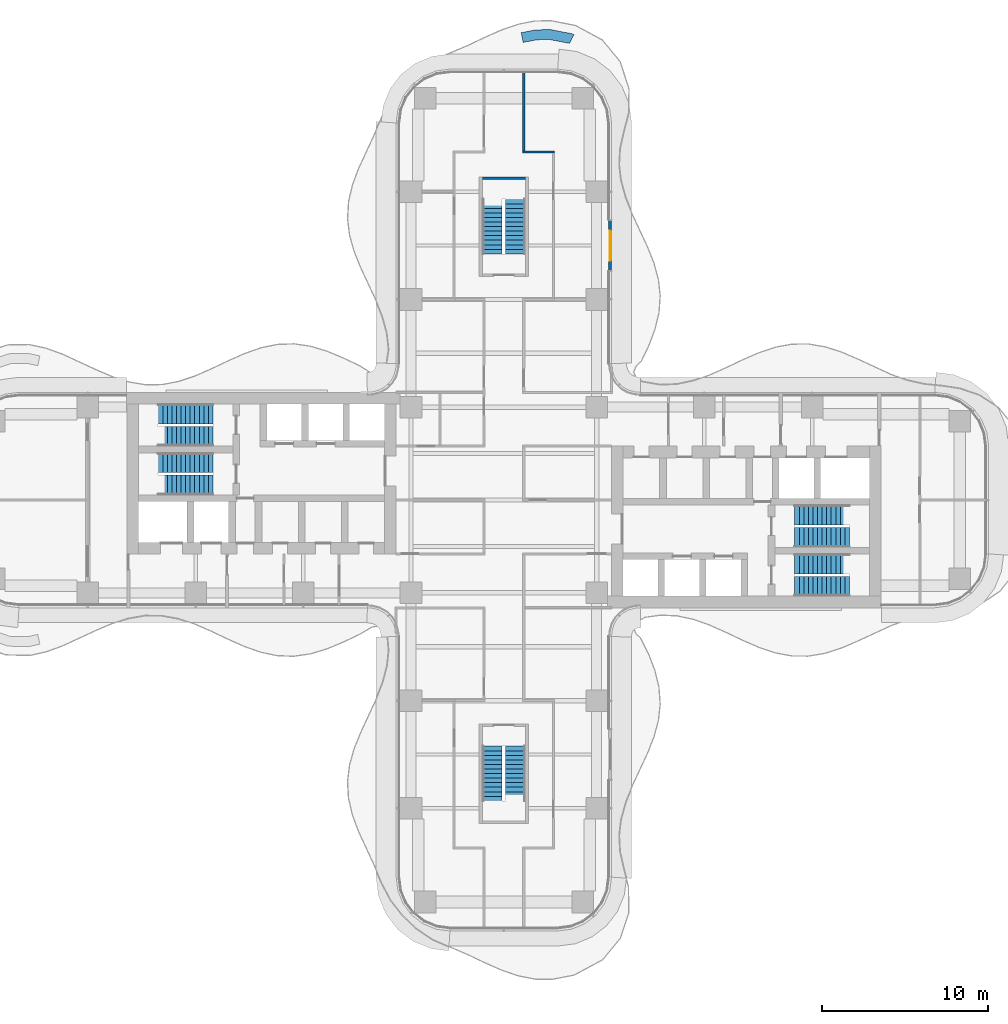
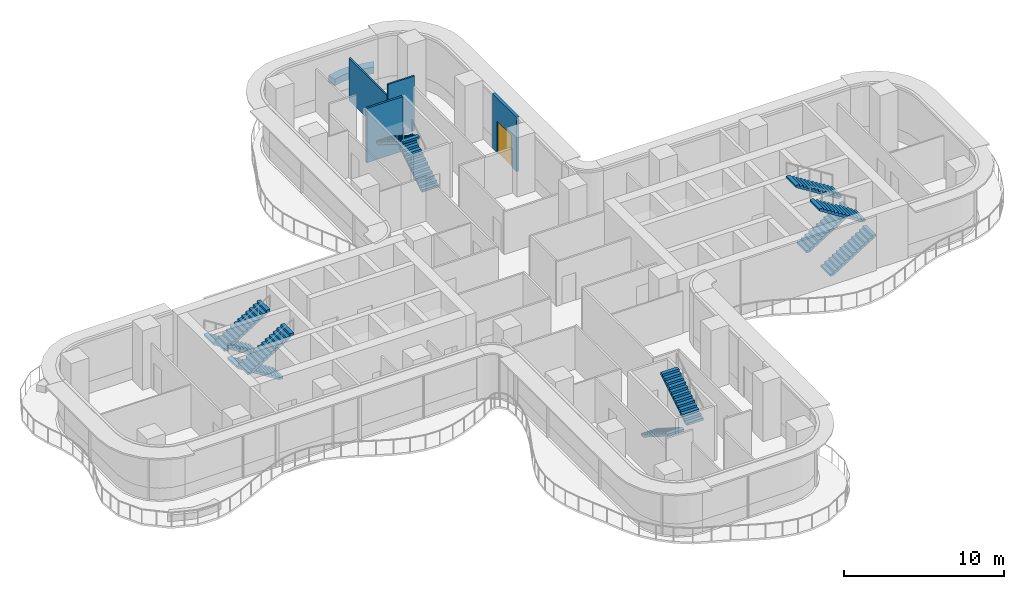
# One storey, part 18 of 20: 12 stair flights, 5 walls, 1 door, 1 opening, 6 elements without a shape of their own.
"""IFC4 building model written with IfcOpenShell, lengths in metres."""

from ifc_helpers import new_model, si_unit, direction, frame, frame_2d, origin, place, context, subcontext, project, spatial, polyline, rectangle, outline, extrude, source, transform, mapped, material, layer, layer_set, type_object, element, fill, aggregate, save


model = new_model("IFC4")

# Units and contexts
model_context = context("Model", 3, precision=1e-05, world=origin(), true_north=direction((0.0, 1.0)))
body_context = subcontext(model_context, "Body", "Model", "MODEL_VIEW")
ifc_project = project(units=[si_unit("LENGTHUNIT", "METRE"), si_unit("AREAUNIT", "SQUARE_METRE"), si_unit("VOLUMEUNIT", "CUBIC_METRE"), si_unit("PLANEANGLEUNIT", "RADIAN"), si_unit("MASSUNIT", "GRAM", prefix="KILO")], contexts=[model_context])

# Site, building, storey
site_placement = place(None, origin())
site = spatial("IfcSite", under=ifc_project, at=site_placement, CompositionType="ELEMENT")
building_placement = place(site_placement, origin())
building = spatial("IfcBuilding", under=site, at=building_placement, Name="Trellis Farm Tower", CompositionType="ELEMENT")
storey_placement = place(building_placement, frame((0.0, 0.0, 151.5)))
storey = spatial("IfcBuildingStorey", under=building, at=storey_placement, Name="L32", CompositionType="ELEMENT", Elevation=151.5)

# Walls
ifc_material_1 = material(Name="Sandstone faced masonry planter", Category="masonry")
ifc_layer_1 = layer(ifc_material_1, 0.60009765625)
ifc_layer_set_1 = layer_set([ifc_layer_1], Name="PLANTER BED 600")
wall_type_1 = type_object("IfcWallType", Name="PLANTER BED 600", PredefinedType="USERDEFINED", material=ifc_layer_set_1)
placement = place(storey_placement, origin())
element("IfcWall", 1, at=placement, inside=storey, type_object=wall_type_1, Name="PLANTER bed", ObjectType="PLANTER", PredefinedType="USERDEFINED", context=body_context, shape_type="SweptSolid", body=[
    extrude(outline(polyline([(2.796630859375, 28.385009765625), (4.12353515625, 28.12939453125), (4.234619140625, 28.070068359375), (3.951904296875, 27.540771484375), (3.9208984375, 27.557373046875), (2.746337890625, 27.78369140625), (1.974609375, 27.765380859375), (1.161376953125, 27.605712890625), (1.045654296875, 28.1943359375), (1.9091796875, 28.364013671875), (2.796630859375, 28.385009765625)])), origin(), (0.0, 0.0, 1.0), 0.5),
])
ifc_material_2 = material(Name="Concrete C70/85", Category="concrete")
ifc_layer_2 = layer(ifc_material_2, 0.14990234375)
ifc_layer_set_2 = layer_set([ifc_layer_2], Name="CORE STAIR ENCLOSURE WALL 150 CONCRETE C70/85")
wall_type_2 = type_object("IfcWallType", Name="CORE STAIR ENCLOSURE WALL 150 CONCRETE C70/85", PredefinedType="SHEAR", material=ifc_layer_set_2)
shared_shape_1 = source(origin(), body_context, "Body", "SweptSolid", [
    extrude(rectangle(XDim=2.60009765625, YDim=0.14990234375, at=frame_2d((1.300048828125, 0.0))), origin(), (0.0, 0.0, 1.0), 4.14990234375),
])
wall_2_placement = place(storey_placement, frame((-1.300048828125, 19.425048828125, 0.0), z_axis=(0.0, 0.0, 1.0), x_axis=(1.0, 0.0, 0.0)))
element("IfcWall", 2, at=wall_2_placement, inside=storey, type_object=wall_type_2, Name="Stair enclosure wall", PredefinedType="SHEAR", context=body_context, shape_type="MappedRepresentation", body=[
    mapped(shared_shape_1, transform((0.0, 0.0, 0.0))),
])

# Wall, opening, door
ifc_material_3 = material(Name="Sandstone faced insulated wall", Category="masonry")
ifc_layer_3 = layer(ifc_material_3, 0.199951171875)
ifc_layer_set_3 = layer_set([ifc_layer_3], Name="EXTERNAL INFILL WALL 200")
wall_type_3 = type_object("IfcWallType", Name="EXTERNAL INFILL WALL 200", PredefinedType="SOLIDWALL", material=ifc_layer_set_3)
shared_shape_2 = source(origin(), body_context, "Body", "SweptSolid", [
    extrude(rectangle(XDim=3.0, YDim=0.199951171875, at=frame_2d((1.5, 0.0))), origin(), (0.0, 0.0, 1.0), 4.14990234375),
])
wall_3_placement = place(storey_placement, frame((6.39990234375, 13.85009765625, 0.0), z_axis=(0.0, 0.0, 1.0), x_axis=(0.0, 1.0, 0.0)))
wall_3 = element("IfcWall", 3, at=wall_3_placement, inside=storey, type_object=wall_type_3, Name="EW1 02", PredefinedType="SOLIDWALL", context=body_context, shape_type="MappedRepresentation", body=[
    mapped(shared_shape_2, transform((0.0, 0.0, 0.0))),
])
shared_shape_3 = source(origin(), body_context, "Body", "SweptSolid", [
    extrude(rectangle(XDim=1.800048828125, YDim=2.39990234375, at=frame_2d((0.89990234375, 1.199951171875))), frame((0.0, 0.110107421875, 0.0), z_axis=(0.0, -1.0, 0.0), x_axis=(1.0, 0.0, 0.0)), (0.0, 0.0, 1.0), 0.22021484375),
])
opening_placement = place(wall_3_placement, frame((0.60009765625, 0.0, 0.0)))
opening = element("IfcOpeningElement", 4, at=opening_placement, cuts=wall_3, Name="Opening ED1", PredefinedType="OPENING", context=body_context, shape_type="MappedRepresentation", body=[
    mapped(shared_shape_3, transform((0.0, 0.0, 0.0))),
])
ifc_material_4 = material(Name="Aluminium framed glazed door", Category="aluminium")
door_type = type_object("IfcDoorType", Name="BALCONY DOOR 1800x2400", OperationType="DOUBLE_DOOR_SINGLE_SWING", PredefinedType="DOOR", material=ifc_material_4)
shared_shape_4 = source(origin(), body_context, "Body", "SweptSolid", [
    extrude(rectangle(XDim=1.800048828125, YDim=2.39990234375, at=frame_2d((0.89990234375, 1.199951171875))), frame((0.0, 0.02490234375, 0.0), z_axis=(0.0, -1.0, 0.0), x_axis=(1.0, 0.0, 0.0)), (0.0, 0.0, 1.0), 0.050048828125),
])
door_placement = place(opening_placement, origin())
door = element("IfcDoor", 5, at=door_placement, inside=storey, type_object=door_type, Name="Balcony door", OperationType="DOUBLE_DOOR_SINGLE_SWING", OverallHeight=2.39990234375, OverallWidth=1.800048828125, PredefinedType="DOOR", context=body_context, shape_type="MappedRepresentation", body=[
    mapped(shared_shape_4, transform((0.0, 0.0, 0.0))),
])
fill(opening, door)

# Walls
ifc_material_5 = material(Name="Plasterboard on steel studs, mineral wool", Category="steel")
ifc_layer_4 = layer(ifc_material_5, 0.125)
ifc_layer_set_4 = layer_set([ifc_layer_4], Name="PARTITION 125 STUD EI 60")
wall_type_4 = type_object("IfcWallType", Name="PARTITION 125 STUD EI 60", PredefinedType="PARTITIONING", material=ifc_layer_set_4)
shared_shape_5 = source(origin(), body_context, "Body", "SweptSolid", [
    extrude(rectangle(XDim=4.737548828125, YDim=0.125, at=frame_2d((2.36865234375, 0.0))), origin(), (0.0, 0.0, 1.0), 3.22998046875),
])
wall_4_placement = place(storey_placement, frame((1.199951171875, 25.800048828125, 0.0), z_axis=(0.0, 0.0, 1.0), x_axis=(0.0, -1.0, 0.0)))
element("IfcWall", 6, at=wall_4_placement, inside=storey, type_object=wall_type_4, Name="Partition PW1", PredefinedType="PARTITIONING", context=body_context, shape_type="MappedRepresentation", body=[
    mapped(shared_shape_5, transform((0.0, 0.0, 0.0))),
])
shared_shape_6 = source(origin(), body_context, "Body", "SweptSolid", [
    extrude(rectangle(XDim=1.925048828125, YDim=0.125, at=frame_2d((0.96240234375, 0.0))), origin(), (0.0, 0.0, 1.0), 4.14990234375),
])
wall_5_placement = place(storey_placement, frame((1.137451171875, 21.0, 0.0), z_axis=(0.0, 0.0, 1.0), x_axis=(1.0, 0.0, 0.0)))
element("IfcWall", 7, at=wall_5_placement, inside=storey, type_object=wall_type_4, Name="Partition PW1", PredefinedType="PARTITIONING", context=body_context, shape_type="MappedRepresentation", body=[
    mapped(shared_shape_6, transform((0.0, 0.0, 0.0))),
])

# Stair, stair flights
ifc_material_6 = material(Name="Concrete C50/60", Category="concrete")
stair_type = type_object("IfcStairType", Name="CORE EXIT STAIR 26 RISERS 173 MM", PredefinedType="HALF_TURN_STAIR", material=ifc_material_6)
stair_1 = element("IfcStair", 8, at=placement, inside=storey, type_object=stair_type, Name="Exit stair N", PredefinedType="HALF_TURN_STAIR")
stair_flight_type = type_object("IfcStairFlightType", Name="STAIR FLIGHT 13 RISERS 173 MM", PredefinedType="STRAIGHT", material=ifc_material_6)
shared_shape_7 = source(origin(), body_context, "Body", "SweptSolid", [
    extrude(outline(polyline([(0.0, 0.0), (0.0, 0.173095703125), (0.27490234375, 0.173095703125), (0.27490234375, 0.34619140625), (0.550048828125, 0.34619140625), (0.550048828125, 0.519287109375), (0.824951171875, 0.519287109375), (0.824951171875, 0.6923828125), (1.10009765625, 0.6923828125), (1.10009765625, 0.865478515625), (1.375, 0.865478515625), (1.375, 1.03857421875), (1.64990234375, 1.03857421875), (1.64990234375, 1.21142578125), (1.925048828125, 1.21142578125), (1.925048828125, 1.384521484375), (2.199951171875, 1.384521484375), (2.199951171875, 1.5576171875), (2.47509765625, 1.5576171875), (2.47509765625, 1.730712890625), (2.75, 1.730712890625), (2.75, 1.90380859375), (3.02490234375, 1.90380859375), (3.02490234375, 2.076904296875), (3.300048828125, 2.076904296875), (3.300048828125, 2.25), (3.300048828125, 1.92333984375), (0.243896484375, 0.0), (0.0, 0.0)])), frame((0.0, 0.60009765625, 0.0), z_axis=(0.0, -1.0, 0.0), x_axis=(1.0, 0.0, 0.0)), (0.0, 0.0, 1.0), 1.199951171875),
])
stair_flight_1_placement = place(storey_placement, frame((0.699951171875, 14.85009765625, 0.0), z_axis=(0.0, 0.0, 1.0), x_axis=(0.0, 1.0, 0.0)))
stair_flight_1 = element("IfcStairFlight", 9, at=stair_flight_1_placement, type_object=stair_flight_type, Name="STN flight 1", NumberOfRisers=13, NumberOfTreads=12, PredefinedType="STRAIGHT", RiserHeight=0.173076923, TreadLength=0.275, context=body_context, shape_type="MappedRepresentation", body=[
    mapped(shared_shape_7, transform((0.0, 0.0, 0.0))),
])
stair_flight_2_placement = place(storey_placement, frame((-0.699951171875, 18.14990234375, 2.25), z_axis=(0.0, 0.0, 1.0), x_axis=(0.0, -1.0, 0.0)))
stair_flight_2 = element("IfcStairFlight", 10, at=stair_flight_2_placement, type_object=stair_flight_type, Name="STN flight 2", NumberOfRisers=13, NumberOfTreads=12, PredefinedType="STRAIGHT", RiserHeight=0.173076923, TreadLength=0.275, context=body_context, shape_type="MappedRepresentation", body=[
    mapped(shared_shape_7, transform((0.0, 0.0, 0.0))),
])
aggregate(stair_1, [stair_flight_1, stair_flight_2])

stair_2 = element("IfcStair", 11, at=placement, inside=storey, type_object=stair_type, Name="Exit stair S", PredefinedType="HALF_TURN_STAIR")
stair_flight_3_placement = place(storey_placement, frame((-0.699951171875, -14.85009765625, 0.0), z_axis=(0.0, 0.0, 1.0), x_axis=(0.0, -1.0, 0.0)))
stair_flight_3 = element("IfcStairFlight", 12, at=stair_flight_3_placement, type_object=stair_flight_type, Name="STS flight 1", NumberOfRisers=13, NumberOfTreads=12, PredefinedType="STRAIGHT", RiserHeight=0.173076923, TreadLength=0.275, context=body_context, shape_type="MappedRepresentation", body=[
    mapped(shared_shape_7, transform((0.0, 0.0, 0.0))),
])
stair_flight_4_placement = place(storey_placement, frame((0.699951171875, -18.14990234375, 2.25), z_axis=(0.0, 0.0, 1.0), x_axis=(0.0, 1.0, 0.0)))
stair_flight_4 = element("IfcStairFlight", 13, at=stair_flight_4_placement, type_object=stair_flight_type, Name="STS flight 2", NumberOfRisers=13, NumberOfTreads=12, PredefinedType="STRAIGHT", RiserHeight=0.173076923, TreadLength=0.275, context=body_context, shape_type="MappedRepresentation", body=[
    mapped(shared_shape_7, transform((0.0, 0.0, 0.0))),
])
aggregate(stair_2, [stair_flight_3, stair_flight_4])

stair_3 = element("IfcStair", 14, at=placement, inside=storey, type_object=stair_type, Name="Exit stair E1", PredefinedType="HALF_TURN_STAIR")
stair_flight_5_placement = place(storey_placement, frame((17.550048828125, -5.199951171875, 0.0), z_axis=(0.0, 0.0, 1.0), x_axis=(1.0, 0.0, 0.0)))
stair_flight_5 = element("IfcStairFlight", 15, at=stair_flight_5_placement, type_object=stair_flight_type, Name="STE1 flight 1", NumberOfRisers=13, NumberOfTreads=12, PredefinedType="STRAIGHT", RiserHeight=0.173076923, TreadLength=0.275, context=body_context, shape_type="MappedRepresentation", body=[
    mapped(shared_shape_7, transform((0.0, 0.0, 0.0))),
])
stair_flight_6_placement = place(storey_placement, frame((20.85009765625, -3.85009765625, 2.25), z_axis=(0.0, 0.0, 1.0), x_axis=(-1.0, 0.0, 0.0)))
stair_flight_6 = element("IfcStairFlight", 16, at=stair_flight_6_placement, type_object=stair_flight_type, Name="STE1 flight 2", NumberOfRisers=13, NumberOfTreads=12, PredefinedType="STRAIGHT", RiserHeight=0.173076923, TreadLength=0.275, context=body_context, shape_type="MappedRepresentation", body=[
    mapped(shared_shape_7, transform((0.0, 0.0, 0.0))),
])
aggregate(stair_3, [stair_flight_5, stair_flight_6])

stair_4 = element("IfcStair", 17, at=placement, inside=storey, type_object=stair_type, Name="Exit stair E2", PredefinedType="HALF_TURN_STAIR")
stair_flight_7_placement = place(storey_placement, frame((17.550048828125, -2.25, 0.0), z_axis=(0.0, 0.0, 1.0), x_axis=(1.0, 0.0, 0.0)))
stair_flight_7 = element("IfcStairFlight", 18, at=stair_flight_7_placement, type_object=stair_flight_type, Name="STE2 flight 1", NumberOfRisers=13, NumberOfTreads=12, PredefinedType="STRAIGHT", RiserHeight=0.173076923, TreadLength=0.275, context=body_context, shape_type="MappedRepresentation", body=[
    mapped(shared_shape_7, transform((0.0, 0.0, 0.0))),
])
stair_flight_8_placement = place(storey_placement, frame((20.85009765625, -0.89990234375, 2.25), z_axis=(0.0, 0.0, 1.0), x_axis=(-1.0, 0.0, 0.0)))
stair_flight_8 = element("IfcStairFlight", 19, at=stair_flight_8_placement, type_object=stair_flight_type, Name="STE2 flight 2", NumberOfRisers=13, NumberOfTreads=12, PredefinedType="STRAIGHT", RiserHeight=0.173076923, TreadLength=0.275, context=body_context, shape_type="MappedRepresentation", body=[
    mapped(shared_shape_7, transform((0.0, 0.0, 0.0))),
])
aggregate(stair_4, [stair_flight_7, stair_flight_8])

stair_5 = element("IfcStair", 20, at=placement, inside=storey, type_object=stair_type, Name="Exit stair W1", PredefinedType="HALF_TURN_STAIR")
stair_flight_9_placement = place(storey_placement, frame((-17.550048828125, 5.199951171875, 0.0), z_axis=(0.0, 0.0, 1.0), x_axis=(-1.0, 0.0, 0.0)))
stair_flight_9 = element("IfcStairFlight", 21, at=stair_flight_9_placement, type_object=stair_flight_type, Name="STW1 flight 1", NumberOfRisers=13, NumberOfTreads=12, PredefinedType="STRAIGHT", RiserHeight=0.173076923, TreadLength=0.275, context=body_context, shape_type="MappedRepresentation", body=[
    mapped(shared_shape_7, transform((0.0, 0.0, 0.0))),
])
stair_flight_10_placement = place(storey_placement, frame((-20.85009765625, 3.85009765625, 2.25), z_axis=(0.0, 0.0, 1.0), x_axis=(1.0, 0.0, 0.0)))
stair_flight_10 = element("IfcStairFlight", 22, at=stair_flight_10_placement, type_object=stair_flight_type, Name="STW1 flight 2", NumberOfRisers=13, NumberOfTreads=12, PredefinedType="STRAIGHT", RiserHeight=0.173076923, TreadLength=0.275, context=body_context, shape_type="MappedRepresentation", body=[
    mapped(shared_shape_7, transform((0.0, 0.0, 0.0))),
])
aggregate(stair_5, [stair_flight_9, stair_flight_10])

stair_6 = element("IfcStair", 23, at=placement, inside=storey, type_object=stair_type, Name="Exit stair W2", PredefinedType="HALF_TURN_STAIR")
stair_flight_11_placement = place(storey_placement, frame((-17.550048828125, 2.25, 0.0), z_axis=(0.0, 0.0, 1.0), x_axis=(-1.0, 0.0, 0.0)))
stair_flight_11 = element("IfcStairFlight", 24, at=stair_flight_11_placement, type_object=stair_flight_type, Name="STW2 flight 1", NumberOfRisers=13, NumberOfTreads=12, PredefinedType="STRAIGHT", RiserHeight=0.173076923, TreadLength=0.275, context=body_context, shape_type="MappedRepresentation", body=[
    mapped(shared_shape_7, transform((0.0, 0.0, 0.0))),
])
stair_flight_12_placement = place(storey_placement, frame((-20.85009765625, 0.89990234375, 2.25), z_axis=(0.0, 0.0, 1.0), x_axis=(1.0, 0.0, 0.0)))
stair_flight_12 = element("IfcStairFlight", 25, at=stair_flight_12_placement, type_object=stair_flight_type, Name="STW2 flight 2", NumberOfRisers=13, NumberOfTreads=12, PredefinedType="STRAIGHT", RiserHeight=0.173076923, TreadLength=0.275, context=body_context, shape_type="MappedRepresentation", body=[
    mapped(shared_shape_7, transform((0.0, 0.0, 0.0))),
])
aggregate(stair_6, [stair_flight_11, stair_flight_12])

save(model, "model.ifc")
